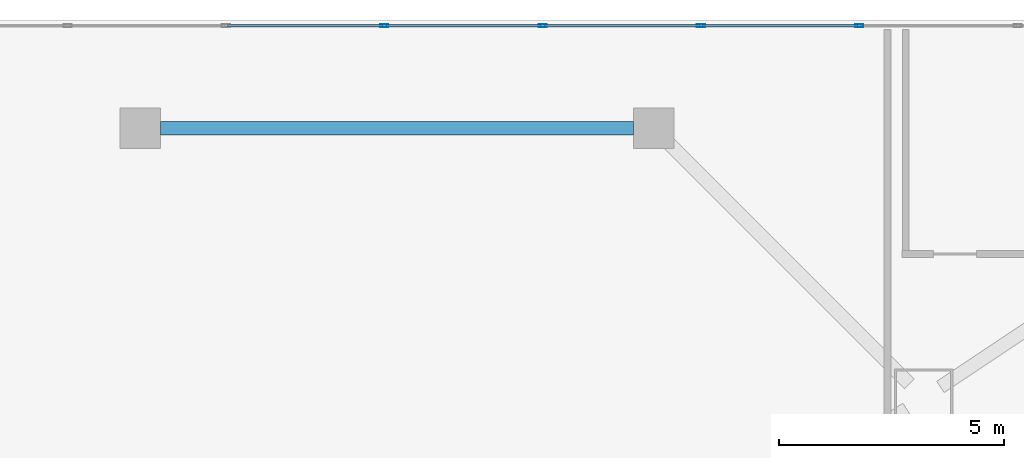
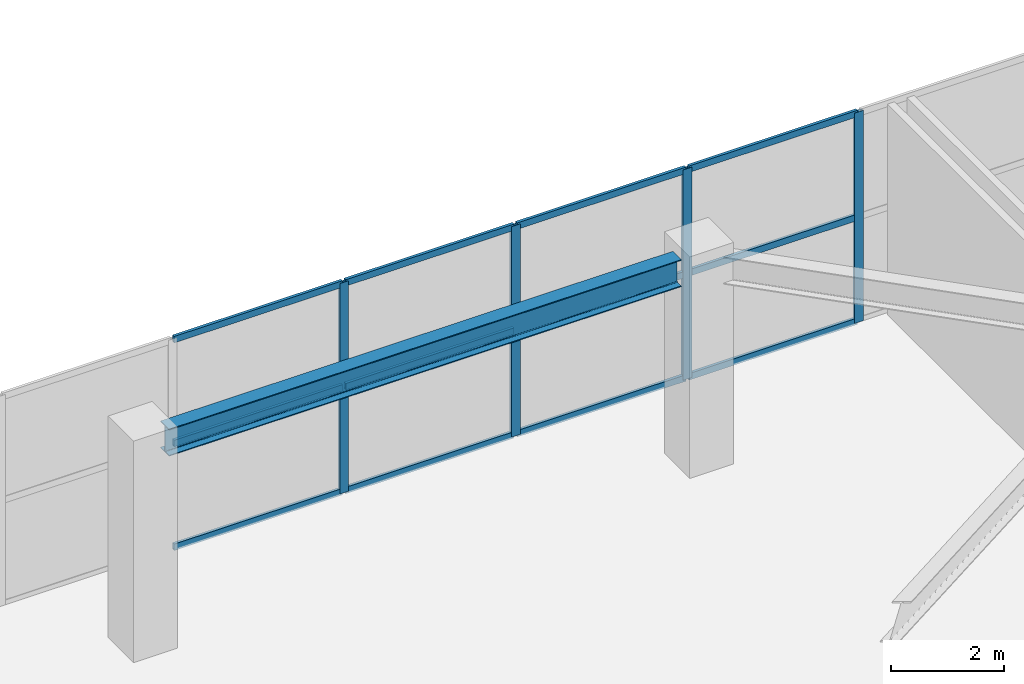
# One storey, part 12 of 31: 16 members, 1 beam, 1 element without a shape of its own.
"""IFC4 building model written with IfcOpenShell, lengths in metres."""

from ifc_helpers import new_model, si_unit, direction, frame, origin, origin_2d, place, context, subcontext, project, spatial, hollow_rectangle, i_section, extrude, material, layer, layer_set, material_profile, profile_set, type_object, element, aggregate, save


model = new_model("IFC4")

# Units and contexts
model_context = context("Model", 3, precision=1e-05, world=origin(), true_north=direction((0.0, 1.0)))
body_context = subcontext(model_context, "Body", "Model", "MODEL_VIEW")
ifc_project = project(units=[si_unit("LENGTHUNIT", "METRE"), si_unit("AREAUNIT", "SQUARE_METRE"), si_unit("VOLUMEUNIT", "CUBIC_METRE"), si_unit("PLANEANGLEUNIT", "RADIAN"), si_unit("MASSUNIT", "GRAM", prefix="KILO")], contexts=[model_context])

# Site, building, storey
site_placement = place(None, origin())
site = spatial("IfcSite", under=ifc_project, at=site_placement, CompositionType="ELEMENT")
building_placement = place(site_placement, origin())
building = spatial("IfcBuilding", under=site, at=building_placement, Name="Haolan Belvedere Tower", CompositionType="ELEMENT")
storey_placement = place(building_placement, frame((0.0, 0.0, 5.39990234375)))
storey = spatial("IfcBuildingStorey", under=building, at=storey_placement, Name="L01", CompositionType="ELEMENT", Elevation=5.39990234375)

# Beam
ifc_material_1 = material(Name="Steel Q355B", Category="steel")
ifc_material_profile_1 = material_profile(ifc_material_1, i_section(OverallWidth=0.300048828125, OverallDepth=0.587890625, WebThickness=0.011962890625, FlangeThickness=0.02001953125, FilletRadius=0.028076171875, at=origin_2d()), Name="Steel Q355B")
ifc_profile_set_1 = profile_set([ifc_material_profile_1], Name="Steel Q355B")
beam_type = type_object("IfcBeamType", Name="BM-HM588x300x12x20", PredefinedType="SPANDREL", material=ifc_profile_set_1)
beam_placement = place(storey_placement, frame((7.050048828125, 51.60009765625, 4.26611328125), z_axis=(1.0, 0.0, 0.0), x_axis=(0.0, 1.0, 0.0)))
element("IfcBeam", 1, at=beam_placement, inside=storey, type_object=beam_type, Name="L01 spandrel girder PC-NW-1-PC-NW-2", PredefinedType="SPANDREL", context=body_context, shape_type="SweptSolid", body=[
    extrude(i_section(OverallWidth=0.300048828125, OverallDepth=0.587890625, WebThickness=0.011962890625, FlangeThickness=0.02001953125, FilletRadius=0.028076171875, at=origin_2d()), origin(), (0.0, 0.0, 1.0), 10.5),
])

# Curtain wall, members
ifc_material_2 = material(Name="Anodised champagne-silver aluminium 6063-T6 and Low-E glass", Category="aluminium")
ifc_layer = layer(ifc_material_2, 0.179931640625, Name="Anodised champagne-silver aluminium 6063-T6 and Low-E glass")
ifc_layer_set = layer_set([ifc_layer], Name="Anodised champagne-silver aluminium 6063-T6 and Low-E glass")
curtain_wall_type = type_object("IfcCurtainWallType", Name="CW-SYS-01", PredefinedType="NOTDEFINED", material=ifc_layer_set)
curtain_wall_placement = place(storey_placement, origin())
curtain_wall = element("IfcCurtainWall", 2, at=curtain_wall_placement, inside=storey, type_object=curtain_wall_type, Name="L01 CW-SYS-01 ribbon curtain wall 3.1", PredefinedType="NOTDEFINED")
ifc_material_3 = material(Name="Anodised aluminium 6063-T6", Category="aluminium")
ifc_material_profile_2 = material_profile(ifc_material_3, hollow_rectangle(XDim=0.06494140625, YDim=0.179931640625, WallThickness=0.00390625, at=origin_2d()), Name="Anodised aluminium 6063-T6")
ifc_profile_set_2 = profile_set([ifc_material_profile_2], Name="Anodised aluminium 6063-T6")
member_type_1 = type_object("IfcMemberType", Name="CW-SYS-01-MUL", PredefinedType="MULLION", material=ifc_profile_set_2)
member_1_placement = place(storey_placement, frame((22.57275390625, 53.8701171875, 0.0), z_axis=(0.0, 0.0, 1.0), x_axis=(0.0, -1.0, 0.0)))
member_1 = element("IfcMember", 3, at=member_1_placement, type_object=member_type_1, Name="CW-01 mullion 16", PredefinedType="MULLION", context=body_context, shape_type="SweptSolid", body=[
    extrude(hollow_rectangle(XDim=0.06494140625, YDim=0.179931640625, WallThickness=0.00390625, at=origin_2d()), origin(), (0.0, 0.0, 1.0), 4.56005859375),
])
member_2_placement = place(storey_placement, frame((19.0556640625, 53.8701171875, 0.0), z_axis=(0.0, 0.0, 1.0), x_axis=(0.0, -1.0, 0.0)))
member_2 = element("IfcMember", 4, at=member_2_placement, type_object=member_type_1, Name="CW-01 mullion 17", PredefinedType="MULLION", context=body_context, shape_type="SweptSolid", body=[
    extrude(hollow_rectangle(XDim=0.06494140625, YDim=0.179931640625, WallThickness=0.00390625, at=origin_2d()), origin(), (0.0, 0.0, 1.0), 4.56005859375),
])
member_3_placement = place(storey_placement, frame((15.53857421875, 53.8701171875, 0.0), z_axis=(0.0, 0.0, 1.0), x_axis=(0.0, -1.0, 0.0)))
member_3 = element("IfcMember", 5, at=member_3_placement, type_object=member_type_1, Name="CW-01 mullion 18", PredefinedType="MULLION", context=body_context, shape_type="SweptSolid", body=[
    extrude(hollow_rectangle(XDim=0.06494140625, YDim=0.179931640625, WallThickness=0.00390625, at=origin_2d()), origin(), (0.0, 0.0, 1.0), 4.56005859375),
])
member_4_placement = place(storey_placement, frame((12.021484375, 53.8701171875, 0.0), z_axis=(0.0, 0.0, 1.0), x_axis=(0.0, -1.0, 0.0)))
member_4 = element("IfcMember", 6, at=member_4_placement, type_object=member_type_1, Name="CW-01 mullion 19", PredefinedType="MULLION", context=body_context, shape_type="SweptSolid", body=[
    extrude(hollow_rectangle(XDim=0.06494140625, YDim=0.179931640625, WallThickness=0.00390625, at=origin_2d()), origin(), (0.0, 0.0, 1.0), 4.56005859375),
])
ifc_material_profile_3 = material_profile(ifc_material_3, hollow_rectangle(XDim=0.06005859375, YDim=0.139892578125, WallThickness=0.00390625, at=origin_2d()), Name="Anodised aluminium 6063-T6")
ifc_profile_set_3 = profile_set([ifc_material_profile_3], Name="Anodised aluminium 6063-T6")
member_type_2 = type_object("IfcMemberType", Name="CW-SYS-01-TRN", PredefinedType="USERDEFINED", material=ifc_profile_set_3)
member_5_placement = place(storey_placement, frame((22.540283203125, 53.8701171875, 0.030029296875), z_axis=(-1.0, 0.0, 0.0), x_axis=(0.0, -1.0, 0.0)))
member_5 = element("IfcMember", 7, at=member_5_placement, type_object=member_type_2, Name="CW-01 transom 16.1", ObjectType="TRANSOM", PredefinedType="USERDEFINED", context=body_context, shape_type="SweptSolid", body=[
    extrude(hollow_rectangle(XDim=0.06005859375, YDim=0.139892578125, WallThickness=0.00390625, at=origin_2d()), origin(), (0.0, 0.0, 1.0), 3.4521484375),
])
member_6_placement = place(storey_placement, frame((22.540283203125, 53.8701171875, 2.280029296875), z_axis=(-1.0, 0.0, 0.0), x_axis=(0.0, -1.0, 0.0)))
member_6 = element("IfcMember", 8, at=member_6_placement, type_object=member_type_2, Name="CW-01 transom 16.2", ObjectType="TRANSOM", PredefinedType="USERDEFINED", context=body_context, shape_type="SweptSolid", body=[
    extrude(hollow_rectangle(XDim=0.06005859375, YDim=0.139892578125, WallThickness=0.00390625, at=origin_2d()), origin(), (0.0, 0.0, 1.0), 3.4521484375),
])
member_7_placement = place(storey_placement, frame((22.540283203125, 53.8701171875, 4.530029296875), z_axis=(-1.0, 0.0, 0.0), x_axis=(0.0, -1.0, 0.0)))
member_7 = element("IfcMember", 9, at=member_7_placement, type_object=member_type_2, Name="CW-01 transom 16.3", ObjectType="TRANSOM", PredefinedType="USERDEFINED", context=body_context, shape_type="SweptSolid", body=[
    extrude(hollow_rectangle(XDim=0.06005859375, YDim=0.139892578125, WallThickness=0.00390625, at=origin_2d()), origin(), (0.0, 0.0, 1.0), 3.4521484375),
])
member_8_placement = place(storey_placement, frame((19.023193359375, 53.8701171875, 0.030029296875), z_axis=(-1.0, 0.0, 0.0), x_axis=(0.0, -1.0, 0.0)))
member_8 = element("IfcMember", 10, at=member_8_placement, type_object=member_type_2, Name="CW-01 transom 17.1", ObjectType="TRANSOM", PredefinedType="USERDEFINED", context=body_context, shape_type="SweptSolid", body=[
    extrude(hollow_rectangle(XDim=0.06005859375, YDim=0.139892578125, WallThickness=0.00390625, at=origin_2d()), origin(), (0.0, 0.0, 1.0), 3.4521484375),
])
member_9_placement = place(storey_placement, frame((19.023193359375, 53.8701171875, 2.280029296875), z_axis=(-1.0, 0.0, 0.0), x_axis=(0.0, -1.0, 0.0)))
member_9 = element("IfcMember", 11, at=member_9_placement, type_object=member_type_2, Name="CW-01 transom 17.2", ObjectType="TRANSOM", PredefinedType="USERDEFINED", context=body_context, shape_type="SweptSolid", body=[
    extrude(hollow_rectangle(XDim=0.06005859375, YDim=0.139892578125, WallThickness=0.00390625, at=origin_2d()), origin(), (0.0, 0.0, 1.0), 3.4521484375),
])
member_10_placement = place(storey_placement, frame((19.023193359375, 53.8701171875, 4.530029296875), z_axis=(-1.0, 0.0, 0.0), x_axis=(0.0, -1.0, 0.0)))
member_10 = element("IfcMember", 12, at=member_10_placement, type_object=member_type_2, Name="CW-01 transom 17.3", ObjectType="TRANSOM", PredefinedType="USERDEFINED", context=body_context, shape_type="SweptSolid", body=[
    extrude(hollow_rectangle(XDim=0.06005859375, YDim=0.139892578125, WallThickness=0.00390625, at=origin_2d()), origin(), (0.0, 0.0, 1.0), 3.4521484375),
])
member_11_placement = place(storey_placement, frame((15.506103515625, 53.8701171875, 0.030029296875), z_axis=(-1.0, 0.0, 0.0), x_axis=(0.0, -1.0, 0.0)))
member_11 = element("IfcMember", 13, at=member_11_placement, type_object=member_type_2, Name="CW-01 transom 18.1", ObjectType="TRANSOM", PredefinedType="USERDEFINED", context=body_context, shape_type="SweptSolid", body=[
    extrude(hollow_rectangle(XDim=0.06005859375, YDim=0.139892578125, WallThickness=0.00390625, at=origin_2d()), origin(), (0.0, 0.0, 1.0), 3.4521484375),
])
member_12_placement = place(storey_placement, frame((15.506103515625, 53.8701171875, 2.280029296875), z_axis=(-1.0, 0.0, 0.0), x_axis=(0.0, -1.0, 0.0)))
member_12 = element("IfcMember", 14, at=member_12_placement, type_object=member_type_2, Name="CW-01 transom 18.2", ObjectType="TRANSOM", PredefinedType="USERDEFINED", context=body_context, shape_type="SweptSolid", body=[
    extrude(hollow_rectangle(XDim=0.06005859375, YDim=0.139892578125, WallThickness=0.00390625, at=origin_2d()), origin(), (0.0, 0.0, 1.0), 3.4521484375),
])
member_13_placement = place(storey_placement, frame((15.506103515625, 53.8701171875, 4.530029296875), z_axis=(-1.0, 0.0, 0.0), x_axis=(0.0, -1.0, 0.0)))
member_13 = element("IfcMember", 15, at=member_13_placement, type_object=member_type_2, Name="CW-01 transom 18.3", ObjectType="TRANSOM", PredefinedType="USERDEFINED", context=body_context, shape_type="SweptSolid", body=[
    extrude(hollow_rectangle(XDim=0.06005859375, YDim=0.139892578125, WallThickness=0.00390625, at=origin_2d()), origin(), (0.0, 0.0, 1.0), 3.4521484375),
])
member_14_placement = place(storey_placement, frame((11.989013671875, 53.8701171875, 0.030029296875), z_axis=(-1.0, 0.0, 0.0), x_axis=(0.0, -1.0, 0.0)))
member_14 = element("IfcMember", 16, at=member_14_placement, type_object=member_type_2, Name="CW-01 transom 19.1", ObjectType="TRANSOM", PredefinedType="USERDEFINED", context=body_context, shape_type="SweptSolid", body=[
    extrude(hollow_rectangle(XDim=0.06005859375, YDim=0.139892578125, WallThickness=0.00390625, at=origin_2d()), origin(), (0.0, 0.0, 1.0), 3.4521484375),
])
member_15_placement = place(storey_placement, frame((11.989013671875, 53.8701171875, 2.280029296875), z_axis=(-1.0, 0.0, 0.0), x_axis=(0.0, -1.0, 0.0)))
member_15 = element("IfcMember", 17, at=member_15_placement, type_object=member_type_2, Name="CW-01 transom 19.2", ObjectType="TRANSOM", PredefinedType="USERDEFINED", context=body_context, shape_type="SweptSolid", body=[
    extrude(hollow_rectangle(XDim=0.06005859375, YDim=0.139892578125, WallThickness=0.00390625, at=origin_2d()), origin(), (0.0, 0.0, 1.0), 3.4521484375),
])
member_16_placement = place(storey_placement, frame((11.989013671875, 53.8701171875, 4.530029296875), z_axis=(-1.0, 0.0, 0.0), x_axis=(0.0, -1.0, 0.0)))
member_16 = element("IfcMember", 18, at=member_16_placement, type_object=member_type_2, Name="CW-01 transom 19.3", ObjectType="TRANSOM", PredefinedType="USERDEFINED", context=body_context, shape_type="SweptSolid", body=[
    extrude(hollow_rectangle(XDim=0.06005859375, YDim=0.139892578125, WallThickness=0.00390625, at=origin_2d()), origin(), (0.0, 0.0, 1.0), 3.4521484375),
])
aggregate(curtain_wall, [member_1, member_2, member_3, member_4, member_5, member_6, member_7, member_8, member_9, member_10, member_11, member_12, member_13, member_14, member_15, member_16])

save(model, "model.ifc")
